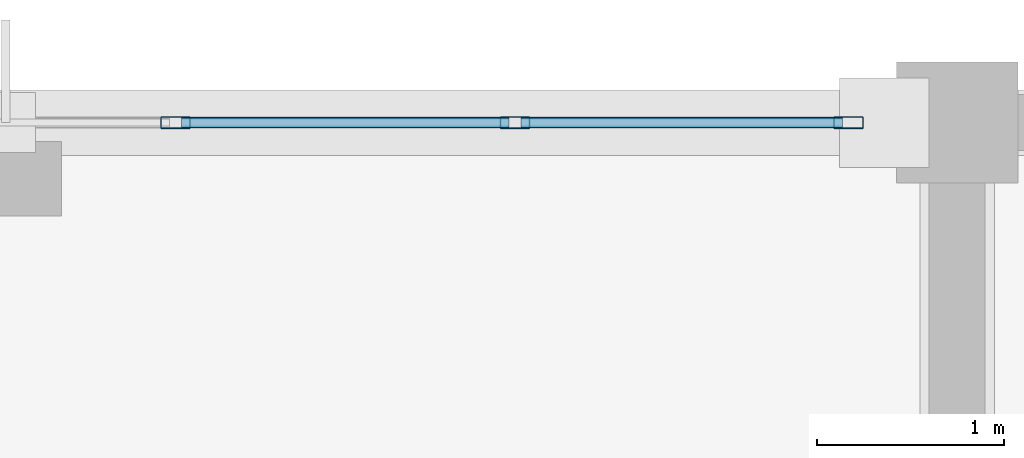
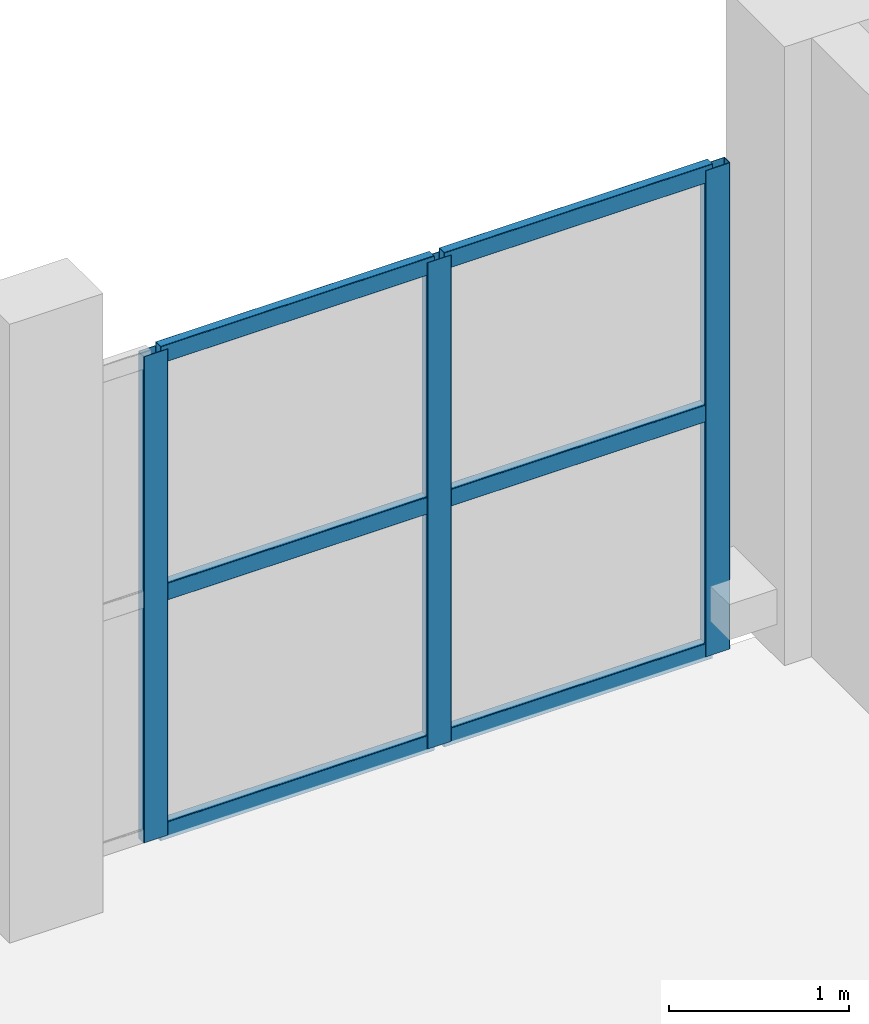
# One storey, part 95 of 135: 9 members, 1 element without a shape of its own.
"""IFC4 building model written with IfcOpenShell, lengths in metres."""

from ifc_helpers import new_model, si_unit, direction, frame, origin, origin_2d, place, context, subcontext, project, spatial, hollow_rectangle, extrude, material, material_profile, profile_set, type_object, element, aggregate, save


model = new_model("IFC4")

# Units and contexts
model_context = context("Model", 3, precision=1e-05, world=origin(), true_north=direction((0.0, 1.0)))
body_context = subcontext(model_context, "Body", "Model", "MODEL_VIEW")
ifc_project = project(units=[si_unit("LENGTHUNIT", "METRE"), si_unit("AREAUNIT", "SQUARE_METRE"), si_unit("VOLUMEUNIT", "CUBIC_METRE"), si_unit("PLANEANGLEUNIT", "RADIAN"), si_unit("MASSUNIT", "GRAM", prefix="KILO")], contexts=[model_context])

# Site, building, storey
site_placement = place(None, origin())
site = spatial("IfcSite", under=ifc_project, at=site_placement, CompositionType="ELEMENT")
building_placement = place(site_placement, origin())
building = spatial("IfcBuilding", under=site, at=building_placement, Name="Brelvane Convention Centre", CompositionType="ELEMENT")
storey_placement = place(building_placement, frame((0.0, 0.0, 15.0)))
storey = spatial("IfcBuildingStorey", under=building, at=storey_placement, Name="L03", CompositionType="ELEMENT", Elevation=15.0)

# Curtain wall, members
ifc_material_1 = material(Name="Anodised Aluminium Alloy 6063-T6", Category="aluminium")
curtain_wall_type = type_object("IfcCurtainWallType", Name="Curtain Wall CW-BOUL", PredefinedType="USERDEFINED", material=ifc_material_1)
curtain_wall_placement = place(storey_placement, origin())
curtain_wall = element("IfcCurtainWall", 1, at=curtain_wall_placement, inside=storey, type_object=curtain_wall_type, Name="Curtain Wall CW-BOUL L03-V4N-02", ObjectType="UNITISED", PredefinedType="USERDEFINED")
ifc_material_2 = material(Name="Anodised Aluminium Alloy 6063-T6", Category="aluminium")
ifc_material_profile_1 = material_profile(ifc_material_2, hollow_rectangle(XDim=0.06494140625, YDim=0.159912109375, WallThickness=0.00390625, InnerFilletRadius=0.00390625, OuterFilletRadius=0.008056640625, at=origin_2d()), Name="ALU-M 160x65x4.0")
ifc_profile_set_1 = profile_set([ifc_material_profile_1], Name="Anodised Aluminium Alloy 6063-T6")
member_type_1 = type_object("IfcMemberType", Name="Curtain Mullion CW-M3", PredefinedType="MULLION", material=ifc_profile_set_1)
member_1_placement = place(storey_placement, frame((16.2099609375, 144.0, 0.0), z_axis=(0.0, 0.0, 1.0), x_axis=(0.0, 1.0, 0.0)))
member_1 = element("IfcMember", 2, at=member_1_placement, type_object=member_type_1, Name="CW-BOUL mullion 4", PredefinedType="MULLION", context=body_context, shape_type="SweptSolid", body=[
    extrude(hollow_rectangle(XDim=0.06494140625, YDim=0.159912109375, WallThickness=0.00390625, InnerFilletRadius=0.00390625, OuterFilletRadius=0.008056640625, at=origin_2d()), origin(), (0.0, 0.0, 1.0), 3.300048828125),
])
member_2_placement = place(storey_placement, frame((18.030029296875, 144.0, 0.0), z_axis=(0.0, 0.0, 1.0), x_axis=(0.0, 1.0, 0.0)))
member_2 = element("IfcMember", 3, at=member_2_placement, type_object=member_type_1, Name="CW-BOUL mullion 5", PredefinedType="MULLION", context=body_context, shape_type="SweptSolid", body=[
    extrude(hollow_rectangle(XDim=0.06494140625, YDim=0.159912109375, WallThickness=0.00390625, InnerFilletRadius=0.00390625, OuterFilletRadius=0.008056640625, at=origin_2d()), origin(), (0.0, 0.0, 1.0), 3.300048828125),
])
member_3_placement = place(storey_placement, frame((19.8173828125, 144.0, 0.0), z_axis=(0.0, 0.0, 1.0), x_axis=(0.0, 1.0, 0.0)))
member_3 = element("IfcMember", 4, at=member_3_placement, type_object=member_type_1, Name="CW-BOUL mullion 6", PredefinedType="MULLION", context=body_context, shape_type="SweptSolid", body=[
    extrude(hollow_rectangle(XDim=0.06494140625, YDim=0.159912109375, WallThickness=0.00390625, InnerFilletRadius=0.00390625, OuterFilletRadius=0.008056640625, at=origin_2d()), origin(), (0.0, 0.0, 1.0), 3.300048828125),
])
ifc_material_3 = material(Name="Anodised Aluminium Alloy 6063-T6", Category="aluminium")
ifc_material_profile_2 = material_profile(ifc_material_3, hollow_rectangle(XDim=0.06005859375, YDim=0.1201171875, WallThickness=0.00390625, InnerFilletRadius=0.00390625, OuterFilletRadius=0.008056640625, at=origin_2d()), Name="ALU-T 120x60x4.0")
ifc_profile_set_2 = profile_set([ifc_material_profile_2], Name="Anodised Aluminium Alloy 6063-T6")
member_type_2 = type_object("IfcMemberType", Name="Curtain Transom CW-T3", PredefinedType="USERDEFINED", material=ifc_profile_set_2)
member_4_placement = place(storey_placement, frame((16.242431640625, 144.0, 0.030029296875), z_axis=(1.0, 0.0, 0.0), x_axis=(0.0, 1.0, 0.0)))
member_4 = element("IfcMember", 5, at=member_4_placement, type_object=member_type_2, Name="CW-BOUL transom 4.1", ObjectType="TRANSOM", PredefinedType="USERDEFINED", context=body_context, shape_type="SweptSolid", body=[
    extrude(hollow_rectangle(XDim=0.06005859375, YDim=0.1201171875, WallThickness=0.00390625, InnerFilletRadius=0.00390625, OuterFilletRadius=0.008056640625, at=origin_2d()), origin(), (0.0, 0.0, 1.0), 1.755126953125),
])
member_5_placement = place(storey_placement, frame((16.242431640625, 144.0, 1.64990234375), z_axis=(1.0, 0.0, 0.0), x_axis=(0.0, 1.0, 0.0)))
member_5 = element("IfcMember", 6, at=member_5_placement, type_object=member_type_2, Name="CW-BOUL transom 4.2", ObjectType="TRANSOM", PredefinedType="USERDEFINED", context=body_context, shape_type="SweptSolid", body=[
    extrude(hollow_rectangle(XDim=0.06005859375, YDim=0.1201171875, WallThickness=0.00390625, InnerFilletRadius=0.00390625, OuterFilletRadius=0.008056640625, at=origin_2d()), origin(), (0.0, 0.0, 1.0), 1.755126953125),
])
member_6_placement = place(storey_placement, frame((16.242431640625, 144.0, 3.27001953125), z_axis=(1.0, 0.0, 0.0), x_axis=(0.0, 1.0, 0.0)))
member_6 = element("IfcMember", 7, at=member_6_placement, type_object=member_type_2, Name="CW-BOUL transom 4.3", ObjectType="TRANSOM", PredefinedType="USERDEFINED", context=body_context, shape_type="SweptSolid", body=[
    extrude(hollow_rectangle(XDim=0.06005859375, YDim=0.1201171875, WallThickness=0.00390625, InnerFilletRadius=0.00390625, OuterFilletRadius=0.008056640625, at=origin_2d()), origin(), (0.0, 0.0, 1.0), 1.755126953125),
])
member_7_placement = place(storey_placement, frame((18.0625, 144.0, 0.030029296875), z_axis=(1.0, 0.0, 0.0), x_axis=(0.0, 1.0, 0.0)))
member_7 = element("IfcMember", 8, at=member_7_placement, type_object=member_type_2, Name="CW-BOUL transom 5.1", ObjectType="TRANSOM", PredefinedType="USERDEFINED", context=body_context, shape_type="SweptSolid", body=[
    extrude(hollow_rectangle(XDim=0.06005859375, YDim=0.1201171875, WallThickness=0.00390625, InnerFilletRadius=0.00390625, OuterFilletRadius=0.008056640625, at=origin_2d()), origin(), (0.0, 0.0, 1.0), 1.722412109375),
])
member_8_placement = place(storey_placement, frame((18.0625, 144.0, 1.64990234375), z_axis=(1.0, 0.0, 0.0), x_axis=(0.0, 1.0, 0.0)))
member_8 = element("IfcMember", 9, at=member_8_placement, type_object=member_type_2, Name="CW-BOUL transom 5.2", ObjectType="TRANSOM", PredefinedType="USERDEFINED", context=body_context, shape_type="SweptSolid", body=[
    extrude(hollow_rectangle(XDim=0.06005859375, YDim=0.1201171875, WallThickness=0.00390625, InnerFilletRadius=0.00390625, OuterFilletRadius=0.008056640625, at=origin_2d()), origin(), (0.0, 0.0, 1.0), 1.722412109375),
])
member_9_placement = place(storey_placement, frame((18.0625, 144.0, 3.27001953125), z_axis=(1.0, 0.0, 0.0), x_axis=(0.0, 1.0, 0.0)))
member_9 = element("IfcMember", 10, at=member_9_placement, type_object=member_type_2, Name="CW-BOUL transom 5.3", ObjectType="TRANSOM", PredefinedType="USERDEFINED", context=body_context, shape_type="SweptSolid", body=[
    extrude(hollow_rectangle(XDim=0.06005859375, YDim=0.1201171875, WallThickness=0.00390625, InnerFilletRadius=0.00390625, OuterFilletRadius=0.008056640625, at=origin_2d()), origin(), (0.0, 0.0, 1.0), 1.722412109375),
])
aggregate(curtain_wall, [member_1, member_2, member_3, member_4, member_5, member_6, member_7, member_8, member_9])

save(model, "model.ifc")
